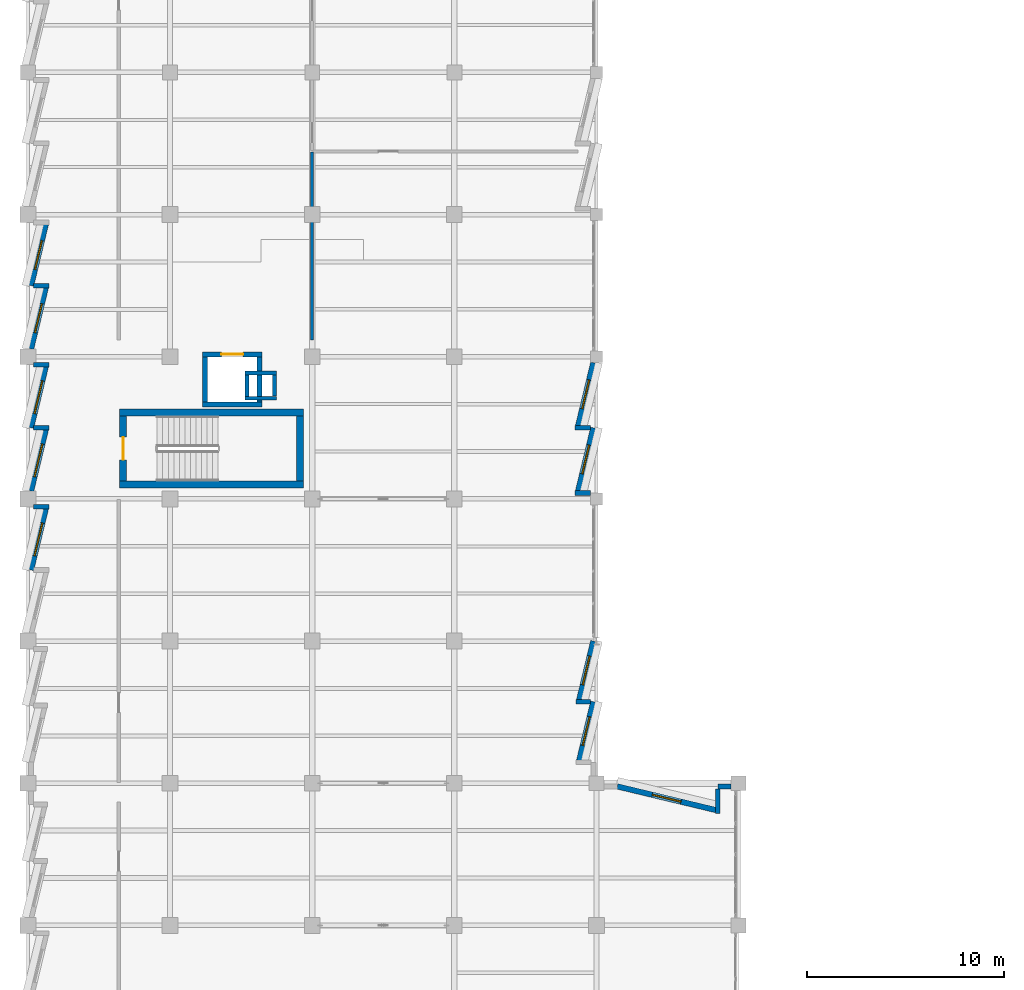
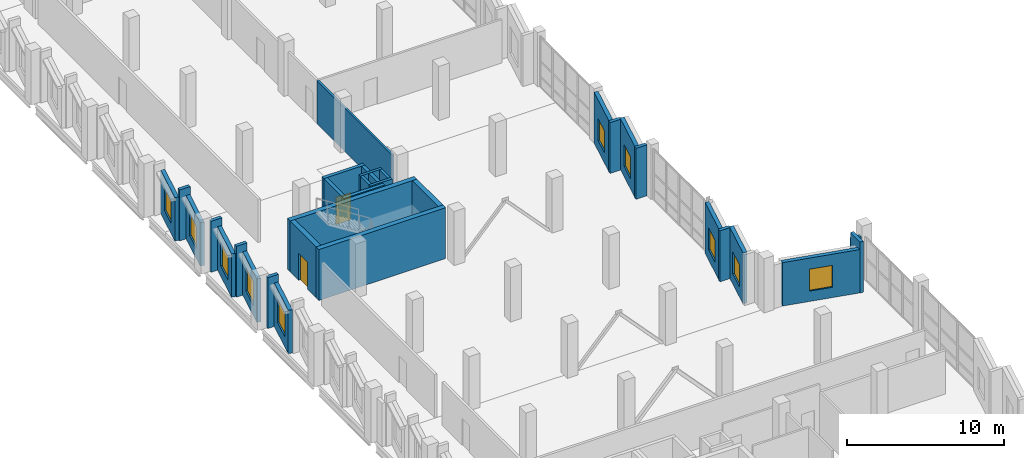
# One storey, part 69 of 94: 32 walls, 10 windows, 2 doors, 12 openings.
"""IFC4 building model written with IfcOpenShell, lengths in metres."""

from ifc_helpers import new_model, si_unit, direction, frame, frame_2d, origin, place, context, subcontext, project, spatial, rectangle, extrude, material, layer, layer_set, type_object, element, fill, save


model = new_model("IFC4")

# Units and contexts
model_context = context("Model", 3, precision=1e-05, world=origin(), true_north=direction((0.0, 1.0)))
body_context = subcontext(model_context, "Body", "Model", "MODEL_VIEW")
ifc_project = project(units=[si_unit("LENGTHUNIT", "METRE"), si_unit("AREAUNIT", "SQUARE_METRE"), si_unit("VOLUMEUNIT", "CUBIC_METRE"), si_unit("PLANEANGLEUNIT", "RADIAN"), si_unit("MASSUNIT", "GRAM", prefix="KILO")], contexts=[model_context])

# Site, building, storey
site_placement = place(None, origin())
site = spatial("IfcSite", under=ifc_project, at=site_placement, CompositionType="ELEMENT")
building_placement = place(site_placement, origin())
building = spatial("IfcBuilding", under=site, at=building_placement, Name="Kalmorath City Hall", CompositionType="ELEMENT")
storey_placement = place(building_placement, frame((0.0, 0.0, 14.699951171875)))
storey = spatial("IfcBuildingStorey", under=building, at=storey_placement, Name="L03", CompositionType="ELEMENT", Elevation=14.699951171875)

# Walls
ifc_material_1 = material(Name="Concrete C50/60", Category="concrete")
ifc_layer_1 = layer(ifc_material_1, 0.35009765625)
ifc_layer_set_1 = layer_set([ifc_layer_1], Name="Concrete C50/60")
wall_type_1 = type_object("IfcWallType", Name="Concrete core shear wall 350", PredefinedType="SHEAR", material=ifc_layer_set_1)
for number, where, z_axis, x_axis, name in (
    (1, (4.64990234375, 51.125, 0.0), (0.0, 0.0, 1.0), (1.0, 0.0, 0.0), "L03 C3 stair core shear wall S"),
    (2, (13.949951171875, 54.77490234375, 0.0), (0.0, 0.0, 1.0), (-1.0, 0.0, 0.0), "L03 C3 stair core shear wall N"),
):
    element("IfcWall", number, at=place(storey_placement, frame(where, z_axis=z_axis, x_axis=x_axis)), inside=storey, type_object=wall_type_1, Name=name, PredefinedType="SHEAR", context=body_context, shape_type="SweptSolid", body=[
        extrude(rectangle(XDim=9.300048828125, YDim=0.35009765625, at=frame_2d((4.64990234375, 0.0))), origin(), (0.0, 0.0, 1.0), 3.949951171875),
    ])

# Wall, opening, door
wall_1_placement = place(storey_placement, frame((4.824951171875, 54.60009765625, 0.0), z_axis=(0.0, 0.0, 1.0), x_axis=(0.0, -1.0, 0.0)))
wall_1 = element("IfcWall", 3, at=wall_1_placement, inside=storey, type_object=wall_type_1, Name="L03 C3 stair core shear wall W", PredefinedType="SHEAR", context=body_context, shape_type="SweptSolid", body=[
    extrude(rectangle(XDim=3.300048828125, YDim=0.35009765625, at=frame_2d((1.64990234375, 0.0))), origin(), (0.0, 0.0, 1.0), 3.949951171875),
])
opening_1_placement = place(wall_1_placement, frame((1.074951171875, 0.0, 0.0)))
opening_1 = element("IfcOpeningElement", 4, at=opening_1_placement, cuts=wall_1, Name="Opening D-L03-068", PredefinedType="OPENING", context=body_context, shape_type="SweptSolid", body=[
    extrude(rectangle(XDim=1.14990234375, YDim=2.10009765625, at=frame_2d((0.574951171875, 1.050048828125))), frame((0.0, 0.18505859375, 0.0), z_axis=(0.0, -1.0, 0.0), x_axis=(1.0, 0.0, 0.0)), (0.0, 0.0, 1.0), 0.3701171875),
])
ifc_material_2 = material(Name="Galvanised steel fire door", Category="steel")
door_type_1 = type_object("IfcDoorType", Name="Stair enclosure 90-min fire door 1150x2100", OperationType="NOTDEFINED", PredefinedType="DOOR", material=ifc_material_2)
door_1_placement = place(opening_1_placement, frame((1.14990234375, 0.0, 0.0), z_axis=(0.0, 0.0, 1.0), x_axis=(-1.0, 0.0, 0.0)))
door_1 = element("IfcDoor", 5, at=door_1_placement, inside=storey, type_object=door_type_1, Name="L03 door D-L03-068", OperationType="SINGLE_SWING_RIGHT", OverallHeight=2.10009765625, OverallWidth=1.14990234375, PredefinedType="DOOR", context=body_context, shape_type="SweptSolid", body=[
    extrude(rectangle(XDim=1.14990234375, YDim=2.10009765625, at=frame_2d((0.574951171875, 1.050048828125))), frame((0.0, 0.02490234375, 0.0), z_axis=(0.0, -1.0, 0.0), x_axis=(1.0, 0.0, 0.0)), (0.0, 0.0, 1.0), 0.050048828125),
])
fill(opening_1, door_1)

# Walls
wall_2_placement = place(storey_placement, frame((13.77490234375, 51.300048828125, 0.0), z_axis=(0.0, 0.0, 1.0), x_axis=(0.0, 1.0, 0.0)))
element("IfcWall", 6, at=wall_2_placement, inside=storey, type_object=wall_type_1, Name="L03 C3 stair core shear wall E", PredefinedType="SHEAR", context=body_context, shape_type="SweptSolid", body=[
    extrude(rectangle(XDim=3.300048828125, YDim=0.35009765625, at=frame_2d((1.64990234375, 0.0))), origin(), (0.0, 0.0, 1.0), 3.949951171875),
])
ifc_material_3 = material(Name="Concrete C50/60", Category="concrete")
ifc_layer_2 = layer(ifc_material_3, 0.25)
ifc_layer_set_2 = layer_set([ifc_layer_2], Name="Concrete C50/60")
wall_type_2 = type_object("IfcWallType", Name="Concrete lift shaft wall 250", PredefinedType="SHEAR", material=ifc_layer_set_2)
wall_3_placement = place(storey_placement, frame((8.85009765625, 55.175048828125, 0.0), z_axis=(0.0, 0.0, 1.0), x_axis=(1.0, 0.0, 0.0)))
element("IfcWall", 7, at=wall_3_placement, inside=storey, type_object=wall_type_2, Name="L03 PL4 lift shaft wall -y", PredefinedType="SHEAR", context=body_context, shape_type="SweptSolid", body=[
    extrude(rectangle(XDim=3.0, YDim=0.25, at=frame_2d((1.5, 0.0))), origin(), (0.0, 0.0, 1.0), 3.949951171875),
])

# Wall, opening, door
wall_4_placement = place(storey_placement, frame((11.85009765625, 57.72509765625, 0.0), z_axis=(0.0, 0.0, 1.0), x_axis=(-1.0, 0.0, 0.0)))
wall_4 = element("IfcWall", 8, at=wall_4_placement, inside=storey, type_object=wall_type_2, Name="L03 PL4 lift shaft wall +y", PredefinedType="SHEAR", context=body_context, shape_type="SweptSolid", body=[
    extrude(rectangle(XDim=3.0, YDim=0.25, at=frame_2d((1.5, 0.0))), origin(), (0.0, 0.0, 1.0), 3.949951171875),
])
opening_2_placement = place(wall_4_placement, frame((0.949951171875, 0.0, 0.0)))
opening_2 = element("IfcOpeningElement", 9, at=opening_2_placement, cuts=wall_4, Name="Opening LD-076", PredefinedType="OPENING", context=body_context, shape_type="SweptSolid", body=[
    extrude(rectangle(XDim=1.10009765625, YDim=2.10009765625, at=frame_2d((0.550048828125, 1.050048828125))), frame((0.0, 0.135009765625, 0.0), z_axis=(0.0, -1.0, 0.0), x_axis=(1.0, 0.0, 0.0)), (0.0, 0.0, 1.0), 0.27001953125),
])
ifc_material_4 = material(Name="Stainless steel sliding landing door", Category="steel")
door_type_2 = type_object("IfcDoorType", Name="Passenger lift sliding landing door 1100x2100", OperationType="SLIDING_TO_LEFT", PredefinedType="DOOR", material=ifc_material_4)
door_2_placement = place(opening_2_placement, origin())
door_2 = element("IfcDoor", 10, at=door_2_placement, inside=storey, type_object=door_type_2, Name="L03 door LD-076", OperationType="SLIDING_TO_LEFT", OverallHeight=2.10009765625, OverallWidth=1.10009765625, PredefinedType="DOOR", context=body_context, shape_type="SweptSolid", body=[
    extrude(rectangle(XDim=1.10009765625, YDim=2.10009765625, at=frame_2d((0.550048828125, 1.050048828125))), frame((0.0, 0.02490234375, 0.0), z_axis=(0.0, -1.0, 0.0), x_axis=(1.0, 0.0, 0.0)), (0.0, 0.0, 1.0), 0.050048828125),
])
fill(opening_2, door_2)

# Walls
for number, where, z_axis, x_axis, name in (
    (11, (8.97509765625, 57.60009765625, 0.0), (0.0, 0.0, 1.0), (0.0, -1.0, 0.0), "L03 PL4 lift shaft wall -x"),
    (12, (11.72509765625, 55.300048828125, 0.0), (0.0, 0.0, 1.0), (0.0, 1.0, 0.0), "L03 PL4 lift shaft wall +x"),
):
    element("IfcWall", number, at=place(storey_placement, frame(where, z_axis=z_axis, x_axis=x_axis)), inside=storey, type_object=wall_type_2, Name=name, PredefinedType="SHEAR", context=body_context, shape_type="SweptSolid", body=[
        extrude(rectangle(XDim=2.300048828125, YDim=0.25, at=frame_2d((1.14990234375, 0.0))), origin(), (0.0, 0.0, 1.0), 3.949951171875),
    ])
ifc_material_5 = material(Name="Concrete C40/50", Category="concrete")
ifc_layer_3 = layer(ifc_material_5, 0.199951171875)
ifc_layer_set_3 = layer_set([ifc_layer_3], Name="Concrete C40/50")
wall_type_3 = type_object("IfcWallType", Name="Concrete service riser wall 200", PredefinedType="SOLIDWALL", material=ifc_layer_set_3)
for number, where, z_axis, x_axis, name in (
    (13, (11.0, 55.5, 0.0), (0.0, 0.0, 1.0), (1.0, 0.0, 0.0), "L03 RSR-2 riser shaft wall S"),
    (14, (12.60009765625, 56.780029296875, 0.0), (0.0, 0.0, 1.0), (-1.0, 0.0, 0.0), "L03 RSR-2 riser shaft wall N"),
):
    element("IfcWall", number, at=place(storey_placement, frame(where, z_axis=z_axis, x_axis=x_axis)), inside=storey, type_object=wall_type_3, Name=name, PredefinedType="SOLIDWALL", context=body_context, shape_type="SweptSolid", body=[
        extrude(rectangle(XDim=1.60009765625, YDim=0.199951171875, at=frame_2d((0.800048828125, 0.0))), origin(), (0.0, 0.0, 1.0), 3.949951171875),
    ])
for number, where, z_axis, x_axis, name in (
    (15, (11.10009765625, 56.679931640625, 0.0), (0.0, 0.0, 1.0), (0.0, -1.0, 0.0), "L03 RSR-2 riser shaft wall W"),
    (16, (12.5, 55.60009765625, 0.0), (0.0, 0.0, 1.0), (0.0, 1.0, 0.0), "L03 RSR-2 riser shaft wall E"),
):
    element("IfcWall", number, at=place(storey_placement, frame(where, z_axis=z_axis, x_axis=x_axis)), inside=storey, type_object=wall_type_3, Name=name, PredefinedType="SOLIDWALL", context=body_context, shape_type="SweptSolid", body=[
        extrude(rectangle(XDim=1.079833984375, YDim=0.199951171875, at=frame_2d((0.5400390625, 0.0))), origin(), (0.0, 0.0, 1.0), 3.949951171875),
    ])
ifc_material_6 = material(Name="Acoustic metal-stud gypsum partition")
ifc_layer_4 = layer(ifc_material_6, 0.14990234375)
ifc_layer_set_4 = layer_set([ifc_layer_4], Name="Acoustic metal-stud gypsum partition")
wall_type_4 = type_object("IfcWallType", Name="Departmental suite partition 150", PredefinedType="PARTITIONING", material=ifc_layer_set_4)
wall_5_placement = place(storey_placement, frame((14.39990234375, 58.43994140625, 0.0), z_axis=(0.0, 0.0, 1.0), x_axis=(0.0, 1.0, 0.0)))
element("IfcWall", 17, at=wall_5_placement, inside=storey, type_object=wall_type_4, Name="L03 interior partition PW4 #144", PredefinedType="PARTITIONING", context=body_context, shape_type="SweptSolid", body=[
    extrude(rectangle(XDim=9.52001953125, YDim=0.14990234375, at=frame_2d((4.760009765625, 0.0))), origin(), (0.0, 0.0, 1.0), 3.35205078125),
])
ifc_material_7 = material(Name="Precast concrete C40/50", Category="concrete")
ifc_layer_5 = layer(ifc_material_7, 0.239990234375)
ifc_layer_set_5 = layer_set([ifc_layer_5], Name="Precast concrete C40/50")
wall_type_5 = type_object("IfcWallType", Name="Precast sawtooth cheek wall 240", PredefinedType="SOLIDWALL", material=ifc_layer_set_5)
for number, where, z_axis, x_axis, name in (
    (18, (1.072998046875, 49.9990234375, 0.0), (0.0, 0.0, 1.0), (-1.0, 0.0, 0.0), "L03 sawtooth return cheek #557"),
    (19, (1.072998046875, 54.0, 0.0), (0.0, 0.0, 1.0), (-1.0, 0.0, 0.0), "L03 sawtooth return cheek #559"),
    (20, (1.072998046875, 57.198974609375, 0.0), (0.0, 0.0, 1.0), (-1.0, 0.0, 0.0), "L03 sawtooth return cheek #561"),
    (21, (1.072998046875, 61.199951171875, 0.0), (0.0, 0.0, 1.0), (-1.0, 0.0, 0.0), "L03 sawtooth return cheek #563"),
):
    element("IfcWall", number, at=place(storey_placement, frame(where, z_axis=z_axis, x_axis=x_axis)), inside=storey, type_object=wall_type_5, Name=name, PredefinedType="SOLIDWALL", context=body_context, shape_type="SweptSolid", body=[
        extrude(rectangle(XDim=0.781005859375, YDim=0.239990234375, at=frame_2d((0.390625, 0.0))), origin(), (0.0, 0.0, 1.0), 3.949951171875),
    ])
for number, where, z_axis, x_axis, name in (
    (22, (27.702880859375, 54.0, 0.0), (0.0, 0.0, 1.0), (1.0, 0.0, 0.0), "L03 sawtooth return cheek #643"),
    (23, (27.702880859375, 50.700927734375, 0.0), (0.0, 0.0, 1.0), (1.0, 0.0, 0.0), "L03 sawtooth return cheek #645"),
):
    element("IfcWall", number, at=place(storey_placement, frame(where, z_axis=z_axis, x_axis=x_axis)), inside=storey, type_object=wall_type_5, Name=name, PredefinedType="SOLIDWALL", context=body_context, shape_type="SweptSolid", body=[
        extrude(rectangle(XDim=0.80517578125, YDim=0.239990234375, at=frame_2d((0.402587890625, 0.0))), origin(), (0.0, 0.0, 1.0), 3.949951171875),
    ])
wall_6_placement = place(storey_placement, frame((27.757568359375, 40.1279296875, 0.0), z_axis=(0.0, 0.0, 1.0), x_axis=(1.0, 0.0, 0.0)))
element("IfcWall", 24, at=wall_6_placement, inside=storey, type_object=wall_type_5, Name="L03 sawtooth return cheek #648", PredefinedType="SOLIDWALL", context=body_context, shape_type="SweptSolid", body=[
    extrude(rectangle(XDim=0.75048828125, YDim=0.239990234375, at=frame_2d((0.375244140625, 0.0))), origin(), (0.0, 0.0, 1.0), 3.949951171875),
])
wall_7_placement = place(storey_placement, frame((34.944091796875, 34.473388671875, 0.0), z_axis=(0.0, 0.0, 1.0), x_axis=(0.0, 1.0, 0.0)))
element("IfcWall", 25, at=wall_7_placement, inside=storey, type_object=wall_type_5, Name="L03 sawtooth return cheek #654", PredefinedType="SOLIDWALL", context=body_context, shape_type="SweptSolid", body=[
    extrude(rectangle(XDim=1.24462890625, YDim=0.239990234375, at=frame_2d((0.622314453125, 0.0))), origin(), (0.0, 0.0, 1.0), 3.949951171875),
])

# Wall, opening, window
ifc_material_8 = material(Name="Precast concrete C40/50", Category="concrete")
ifc_layer_6 = layer(ifc_material_8, 0.280029296875)
ifc_layer_set_6 = layer_set([ifc_layer_6], Name="Precast concrete C40/50")
wall_type_6 = type_object("IfcWallType", Name="Precast sawtooth facade wall 280", PredefinedType="SOLIDWALL", material=ifc_layer_set_6)
wall_8_placement = place(storey_placement, frame((0.159912109375, 46.800048828125, 0.0), z_axis=(0.0, 0.0, 1.0), x_axis=(0.233462551123, 0.972365793939, 0.0)))
wall_8 = element("IfcWall", 26, at=wall_8_placement, inside=storey, type_object=wall_type_6, Name="L03 sawtooth precast frame #556", PredefinedType="SOLIDWALL", context=body_context, shape_type="SweptSolid", body=[
    extrude(rectangle(XDim=3.19482421875, YDim=0.280029296875, at=frame_2d((1.597412109375, 0.0))), origin(), (0.0, 0.0, 1.0), 3.365966796875),
])
opening_3_placement = place(wall_8_placement, frame((0.747314453125, 0.0, 0.800048828125)))
opening_3 = element("IfcOpeningElement", 27, at=opening_3_placement, cuts=wall_8, Name="Opening WN6", PredefinedType="OPENING", context=body_context, shape_type="SweptSolid", body=[
    extrude(rectangle(XDim=1.699951171875, YDim=1.85009765625, at=frame_2d((0.85009765625, 0.925048828125))), frame((0.0, 0.14990234375, 0.0), z_axis=(0.0, -1.0, 0.0), x_axis=(1.0, 0.0, 0.0)), (0.0, 0.0, 1.0), 0.300048828125),
])
ifc_material_9 = material(Name="Aluminium and laminated glass", Category="aluminium")
window_type_1 = type_object("IfcWindowType", Name="Sawtooth west wing window 1700x1850", PartitioningType="SINGLE_PANEL", PredefinedType="WINDOW", material=ifc_material_9)
window_1_placement = place(opening_3_placement, origin())
window_1 = element("IfcWindow", 28, at=window_1_placement, inside=storey, type_object=window_type_1, Name="L03 window WN6-288", OverallHeight=1.85009765625, OverallWidth=1.699951171875, PartitioningType="SINGLE_PANEL", PredefinedType="WINDOW", context=body_context, shape_type="SweptSolid", body=[
    extrude(rectangle(XDim=1.699951171875, YDim=1.85009765625, at=frame_2d((0.85009765625, 0.925048828125))), frame((0.0, 0.030029296875, 0.0), z_axis=(0.0, -1.0, 0.0), x_axis=(1.0, 0.0, 0.0)), (0.0, 0.0, 1.0), 0.06005859375),
])
fill(opening_3, window_1)

wall_9_placement = place(storey_placement, frame((0.159912109375, 50.801025390625, 0.0), z_axis=(0.0, 0.0, 1.0), x_axis=(0.233445204235, 0.972369958719, 0.0)))
wall_9 = element("IfcWall", 29, at=wall_9_placement, inside=storey, type_object=wall_type_6, Name="L03 sawtooth precast frame #558", PredefinedType="SOLIDWALL", context=body_context, shape_type="SweptSolid", body=[
    extrude(rectangle(XDim=3.195068359375, YDim=0.280029296875, at=frame_2d((1.59765625, 0.0))), origin(), (0.0, 0.0, 1.0), 3.365966796875),
])
opening_4_placement = place(wall_9_placement, frame((0.747314453125, 0.0, 0.800048828125)))
opening_4 = element("IfcOpeningElement", 30, at=opening_4_placement, cuts=wall_9, Name="Opening WN6", PredefinedType="OPENING", context=body_context, shape_type="SweptSolid", body=[
    extrude(rectangle(XDim=1.699951171875, YDim=1.85009765625, at=frame_2d((0.85009765625, 0.925048828125))), frame((0.0, 0.14990234375, 0.0), z_axis=(0.0, -1.0, 0.0), x_axis=(1.0, 0.0, 0.0)), (0.0, 0.0, 1.0), 0.300048828125),
])
window_2_placement = place(opening_4_placement, origin())
window_2 = element("IfcWindow", 31, at=window_2_placement, inside=storey, type_object=window_type_1, Name="L03 window WN6-289", OverallHeight=1.85009765625, OverallWidth=1.699951171875, PartitioningType="SINGLE_PANEL", PredefinedType="WINDOW", context=body_context, shape_type="SweptSolid", body=[
    extrude(rectangle(XDim=1.699951171875, YDim=1.85009765625, at=frame_2d((0.85009765625, 0.925048828125))), frame((0.0, 0.030029296875, 0.0), z_axis=(0.0, -1.0, 0.0), x_axis=(1.0, 0.0, 0.0)), (0.0, 0.0, 1.0), 0.06005859375),
])
fill(opening_4, window_2)

wall_10_placement = place(storey_placement, frame((0.159912109375, 54.0, 0.0), z_axis=(0.0, 0.0, 1.0), x_axis=(0.233445204235, 0.972369958719, 0.0)))
wall_10 = element("IfcWall", 32, at=wall_10_placement, inside=storey, type_object=wall_type_6, Name="L03 sawtooth precast frame #560", PredefinedType="SOLIDWALL", context=body_context, shape_type="SweptSolid", body=[
    extrude(rectangle(XDim=3.195068359375, YDim=0.280029296875, at=frame_2d((1.59765625, 0.0))), origin(), (0.0, 0.0, 1.0), 3.365966796875),
])
opening_5_placement = place(wall_10_placement, frame((0.747314453125, 0.0, 0.800048828125)))
opening_5 = element("IfcOpeningElement", 33, at=opening_5_placement, cuts=wall_10, Name="Opening WN6", PredefinedType="OPENING", context=body_context, shape_type="SweptSolid", body=[
    extrude(rectangle(XDim=1.699951171875, YDim=1.85009765625, at=frame_2d((0.85009765625, 0.925048828125))), frame((0.0, 0.14990234375, 0.0), z_axis=(0.0, -1.0, 0.0), x_axis=(1.0, 0.0, 0.0)), (0.0, 0.0, 1.0), 0.300048828125),
])
window_3_placement = place(opening_5_placement, origin())
window_3 = element("IfcWindow", 34, at=window_3_placement, inside=storey, type_object=window_type_1, Name="L03 window WN6-290", OverallHeight=1.85009765625, OverallWidth=1.699951171875, PartitioningType="SINGLE_PANEL", PredefinedType="WINDOW", context=body_context, shape_type="SweptSolid", body=[
    extrude(rectangle(XDim=1.699951171875, YDim=1.85009765625, at=frame_2d((0.85009765625, 0.925048828125))), frame((0.0, 0.030029296875, 0.0), z_axis=(0.0, -1.0, 0.0), x_axis=(1.0, 0.0, 0.0)), (0.0, 0.0, 1.0), 0.06005859375),
])
fill(opening_5, window_3)

wall_11_placement = place(storey_placement, frame((0.159912109375, 58.0009765625, 0.0), z_axis=(0.0, 0.0, 1.0), x_axis=(0.233445204235, 0.972369958719, 0.0)))
wall_11 = element("IfcWall", 35, at=wall_11_placement, inside=storey, type_object=wall_type_6, Name="L03 sawtooth precast frame #562", PredefinedType="SOLIDWALL", context=body_context, shape_type="SweptSolid", body=[
    extrude(rectangle(XDim=3.195068359375, YDim=0.280029296875, at=frame_2d((1.59765625, 0.0))), origin(), (0.0, 0.0, 1.0), 3.365966796875),
])
opening_6_placement = place(wall_11_placement, frame((0.847412109375, 0.0, 0.800048828125)))
opening_6 = element("IfcOpeningElement", 36, at=opening_6_placement, cuts=wall_11, Name="Opening WN7", PredefinedType="OPENING", context=body_context, shape_type="SweptSolid", body=[
    extrude(rectangle(XDim=1.5, YDim=1.699951171875, at=frame_2d((0.75, 0.85009765625))), frame((0.0, 0.14990234375, 0.0), z_axis=(0.0, -1.0, 0.0), x_axis=(1.0, 0.0, 0.0)), (0.0, 0.0, 1.0), 0.300048828125),
])
ifc_material_10 = material(Name="Aluminium and laminated glass", Category="aluminium")
window_type_2 = type_object("IfcWindowType", Name="Sawtooth top storey window 1500x1700", PartitioningType="SINGLE_PANEL", PredefinedType="WINDOW", material=ifc_material_10)
window_4_placement = place(opening_6_placement, origin())
window_4 = element("IfcWindow", 37, at=window_4_placement, inside=storey, type_object=window_type_2, Name="L03 window WN7-291", OverallHeight=1.699951171875, OverallWidth=1.5, PartitioningType="SINGLE_PANEL", PredefinedType="WINDOW", context=body_context, shape_type="SweptSolid", body=[
    extrude(rectangle(XDim=1.5, YDim=1.699951171875, at=frame_2d((0.75, 0.85009765625))), frame((0.0, 0.030029296875, 0.0), z_axis=(0.0, -1.0, 0.0), x_axis=(1.0, 0.0, 0.0)), (0.0, 0.0, 1.0), 0.06005859375),
])
fill(opening_6, window_4)

wall_12_placement = place(storey_placement, frame((0.159912109375, 61.199951171875, 0.0), z_axis=(0.0, 0.0, 1.0), x_axis=(0.233445204235, 0.972369958719, 0.0)))
wall_12 = element("IfcWall", 38, at=wall_12_placement, inside=storey, type_object=wall_type_6, Name="L03 sawtooth precast frame #564", PredefinedType="SOLIDWALL", context=body_context, shape_type="SweptSolid", body=[
    extrude(rectangle(XDim=3.195068359375, YDim=0.280029296875, at=frame_2d((1.59765625, 0.0))), origin(), (0.0, 0.0, 1.0), 3.365966796875),
])
opening_7_placement = place(wall_12_placement, frame((0.847412109375, 0.0, 0.800048828125)))
opening_7 = element("IfcOpeningElement", 39, at=opening_7_placement, cuts=wall_12, Name="Opening WN7", PredefinedType="OPENING", context=body_context, shape_type="SweptSolid", body=[
    extrude(rectangle(XDim=1.5, YDim=1.699951171875, at=frame_2d((0.75, 0.85009765625))), frame((0.0, 0.14990234375, 0.0), z_axis=(0.0, -1.0, 0.0), x_axis=(1.0, 0.0, 0.0)), (0.0, 0.0, 1.0), 0.300048828125),
])
window_5_placement = place(opening_7_placement, origin())
window_5 = element("IfcWindow", 40, at=window_5_placement, inside=storey, type_object=window_type_2, Name="L03 window WN7-292", OverallHeight=1.699951171875, OverallWidth=1.5, PartitioningType="SINGLE_PANEL", PredefinedType="WINDOW", context=body_context, shape_type="SweptSolid", body=[
    extrude(rectangle(XDim=1.5, YDim=1.699951171875, at=frame_2d((0.75, 0.85009765625))), frame((0.0, 0.030029296875, 0.0), z_axis=(0.0, -1.0, 0.0), x_axis=(1.0, 0.0, 0.0)), (0.0, 0.0, 1.0), 0.06005859375),
])
fill(opening_7, window_5)

wall_13_placement = place(storey_placement, frame((28.639892578125, 57.299072265625, 0.0), z_axis=(0.0, 0.0, 1.0), x_axis=(-0.233414950828, -0.972377221417, 0.0)))
wall_13 = element("IfcWall", 41, at=wall_13_placement, inside=storey, type_object=wall_type_6, Name="L03 sawtooth precast frame #642", PredefinedType="SOLIDWALL", context=body_context, shape_type="SweptSolid", body=[
    extrude(rectangle(XDim=3.2978515625, YDim=0.280029296875, at=frame_2d((1.64892578125, 0.0))), origin(), (0.0, 0.0, 1.0), 3.949951171875),
])
opening_8_placement = place(wall_13_placement, frame((0.89892578125, 0.0, 0.800048828125)))
opening_8 = element("IfcOpeningElement", 42, at=opening_8_placement, cuts=wall_13, Name="Opening WN7", PredefinedType="OPENING", context=body_context, shape_type="SweptSolid", body=[
    extrude(rectangle(XDim=1.5, YDim=1.699951171875, at=frame_2d((0.75, 0.85009765625))), frame((0.0, 0.14990234375, 0.0), z_axis=(0.0, -1.0, 0.0), x_axis=(1.0, 0.0, 0.0)), (0.0, 0.0, 1.0), 0.300048828125),
])
window_6_placement = place(opening_8_placement, origin())
window_6 = element("IfcWindow", 43, at=window_6_placement, inside=storey, type_object=window_type_2, Name="L03 window WN7-340", OverallHeight=1.699951171875, OverallWidth=1.5, PartitioningType="SINGLE_PANEL", PredefinedType="WINDOW", context=body_context, shape_type="SweptSolid", body=[
    extrude(rectangle(XDim=1.5, YDim=1.699951171875, at=frame_2d((0.75, 0.85009765625))), frame((0.0, 0.030029296875, 0.0), z_axis=(0.0, -1.0, 0.0), x_axis=(1.0, 0.0, 0.0)), (0.0, 0.0, 1.0), 0.06005859375),
])
fill(opening_8, window_6)

wall_14_placement = place(storey_placement, frame((28.639892578125, 54.0, 0.0), z_axis=(0.0, 0.0, 1.0), x_axis=(-0.23343175428, -0.972373187667, 0.0)))
wall_14 = element("IfcWall", 44, at=wall_14_placement, inside=storey, type_object=wall_type_6, Name="L03 sawtooth precast frame #644", PredefinedType="SOLIDWALL", context=body_context, shape_type="SweptSolid", body=[
    extrude(rectangle(XDim=3.297607421875, YDim=0.280029296875, at=frame_2d((1.64892578125, 0.0))), origin(), (0.0, 0.0, 1.0), 3.949951171875),
])
opening_9_placement = place(wall_14_placement, frame((0.89892578125, 0.0, 0.800048828125)))
opening_9 = element("IfcOpeningElement", 45, at=opening_9_placement, cuts=wall_14, Name="Opening WN7", PredefinedType="OPENING", context=body_context, shape_type="SweptSolid", body=[
    extrude(rectangle(XDim=1.5, YDim=1.699951171875, at=frame_2d((0.75, 0.85009765625))), frame((0.0, 0.14990234375, 0.0), z_axis=(0.0, -1.0, 0.0), x_axis=(1.0, 0.0, 0.0)), (0.0, 0.0, 1.0), 0.300048828125),
])
window_7_placement = place(opening_9_placement, origin())
window_7 = element("IfcWindow", 46, at=window_7_placement, inside=storey, type_object=window_type_2, Name="L03 window WN7-341", OverallHeight=1.699951171875, OverallWidth=1.5, PartitioningType="SINGLE_PANEL", PredefinedType="WINDOW", context=body_context, shape_type="SweptSolid", body=[
    extrude(rectangle(XDim=1.5, YDim=1.699951171875, at=frame_2d((0.75, 0.85009765625))), frame((0.0, 0.030029296875, 0.0), z_axis=(0.0, -1.0, 0.0), x_axis=(1.0, 0.0, 0.0)), (0.0, 0.0, 1.0), 0.06005859375),
])
fill(opening_9, window_7)

wall_15_placement = place(storey_placement, frame((28.639892578125, 43.199951171875, 0.0), z_axis=(0.0, 0.0, 1.0), x_axis=(-0.233375966003, -0.972386578729, 0.0)))
wall_15 = element("IfcWall", 47, at=wall_15_placement, inside=storey, type_object=wall_type_6, Name="L03 sawtooth precast frame #647", PredefinedType="SOLIDWALL", context=body_context, shape_type="SweptSolid", body=[
    extrude(rectangle(XDim=3.064208984375, YDim=0.280029296875, at=frame_2d((1.5322265625, 0.0))), origin(), (0.0, 0.0, 1.0), 3.949951171875),
])
opening_10_placement = place(wall_15_placement, frame((0.781982421875, 0.0, 0.800048828125)))
opening_10 = element("IfcOpeningElement", 48, at=opening_10_placement, cuts=wall_15, Name="Opening WN7", PredefinedType="OPENING", context=body_context, shape_type="SweptSolid", body=[
    extrude(rectangle(XDim=1.5, YDim=1.699951171875, at=frame_2d((0.75, 0.85009765625))), frame((0.0, 0.14990234375, 0.0), z_axis=(0.0, -1.0, 0.0), x_axis=(1.0, 0.0, 0.0)), (0.0, 0.0, 1.0), 0.300048828125),
])
window_8_placement = place(opening_10_placement, origin())
window_8 = element("IfcWindow", 49, at=window_8_placement, inside=storey, type_object=window_type_2, Name="L03 window WN7-342", OverallHeight=1.699951171875, OverallWidth=1.5, PartitioningType="SINGLE_PANEL", PredefinedType="WINDOW", context=body_context, shape_type="SweptSolid", body=[
    extrude(rectangle(XDim=1.5, YDim=1.699951171875, at=frame_2d((0.75, 0.85009765625))), frame((0.0, 0.030029296875, 0.0), z_axis=(0.0, -1.0, 0.0), x_axis=(1.0, 0.0, 0.0)), (0.0, 0.0, 1.0), 0.06005859375),
])
fill(opening_10, window_8)

wall_16_placement = place(storey_placement, frame((28.639892578125, 40.1279296875, 0.0), z_axis=(0.0, 0.0, 1.0), x_axis=(-0.233375966003, -0.972386578729, 0.0)))
wall_16 = element("IfcWall", 50, at=wall_16_placement, inside=storey, type_object=wall_type_6, Name="L03 sawtooth precast frame #649", PredefinedType="SOLIDWALL", context=body_context, shape_type="SweptSolid", body=[
    extrude(rectangle(XDim=3.064208984375, YDim=0.280029296875, at=frame_2d((1.5322265625, 0.0))), origin(), (0.0, 0.0, 1.0), 3.949951171875),
])
opening_11_placement = place(wall_16_placement, frame((0.781982421875, 0.0, 0.800048828125)))
opening_11 = element("IfcOpeningElement", 51, at=opening_11_placement, cuts=wall_16, Name="Opening WN7", PredefinedType="OPENING", context=body_context, shape_type="SweptSolid", body=[
    extrude(rectangle(XDim=1.5, YDim=1.699951171875, at=frame_2d((0.75, 0.85009765625))), frame((0.0, 0.14990234375, 0.0), z_axis=(0.0, -1.0, 0.0), x_axis=(1.0, 0.0, 0.0)), (0.0, 0.0, 1.0), 0.300048828125),
])
window_9_placement = place(opening_11_placement, origin())
window_9 = element("IfcWindow", 52, at=window_9_placement, inside=storey, type_object=window_type_2, Name="L03 window WN7-343", OverallHeight=1.699951171875, OverallWidth=1.5, PartitioningType="SINGLE_PANEL", PredefinedType="WINDOW", context=body_context, shape_type="SweptSolid", body=[
    extrude(rectangle(XDim=1.5, YDim=1.699951171875, at=frame_2d((0.75, 0.85009765625))), frame((0.0, 0.030029296875, 0.0), z_axis=(0.0, -1.0, 0.0), x_axis=(1.0, 0.0, 0.0)), (0.0, 0.0, 1.0), 0.06005859375),
])
fill(opening_11, window_9)

wall_17_placement = place(storey_placement, frame((29.85595703125, 35.840087890625, 0.0), z_axis=(0.0, 0.0, 1.0), x_axis=(0.972364435713, -0.233468208028, 0.0)))
wall_17 = element("IfcWall", 53, at=wall_17_placement, inside=storey, type_object=wall_type_6, Name="L03 sawtooth precast frame #653", PredefinedType="SOLIDWALL", context=body_context, shape_type="SweptSolid", body=[
    extrude(rectangle(XDim=5.1376953125, YDim=0.280029296875, at=frame_2d((2.56884765625, 0.0))), origin(), (0.0, 0.0, 1.0), 3.365966796875),
])
opening_12_placement = place(wall_17_placement, frame((1.81884765625, 0.0, 0.800048828125)))
opening_12 = element("IfcOpeningElement", 54, at=opening_12_placement, cuts=wall_17, Name="Opening WN7", PredefinedType="OPENING", context=body_context, shape_type="SweptSolid", body=[
    extrude(rectangle(XDim=1.5, YDim=1.699951171875, at=frame_2d((0.75, 0.85009765625))), frame((0.0, 0.14990234375, 0.0), z_axis=(0.0, -1.0, 0.0), x_axis=(1.0, 0.0, 0.0)), (0.0, 0.0, 1.0), 0.300048828125),
])
window_10_placement = place(opening_12_placement, origin())
window_10 = element("IfcWindow", 55, at=window_10_placement, inside=storey, type_object=window_type_2, Name="L03 window WN7-344", OverallHeight=1.699951171875, OverallWidth=1.5, PartitioningType="SINGLE_PANEL", PredefinedType="WINDOW", context=body_context, shape_type="SweptSolid", body=[
    extrude(rectangle(XDim=1.5, YDim=1.699951171875, at=frame_2d((0.75, 0.85009765625))), frame((0.0, 0.030029296875, 0.0), z_axis=(0.0, -1.0, 0.0), x_axis=(1.0, 0.0, 0.0)), (0.0, 0.0, 1.0), 0.06005859375),
])
fill(opening_12, window_10)

# Wall
ifc_material_11 = material(Name="Precast concrete C40/50", Category="concrete")
ifc_layer_7 = layer(ifc_material_11, 0.260009765625)
ifc_layer_set_7 = layer_set([ifc_layer_7], Name="Precast concrete C40/50")
wall_type_7 = type_object("IfcWallType", Name="Precast sawtooth return wall 260", PredefinedType="SOLIDWALL", material=ifc_layer_set_7)
wall_18_placement = place(storey_placement, frame((34.944091796875, 35.840087890625, 0.0), z_axis=(0.0, 0.0, 1.0), x_axis=(1.0, 0.0, 0.0)))
element("IfcWall", 56, at=wall_18_placement, inside=storey, type_object=wall_type_7, Name="L03 corner pier wall #652", PredefinedType="SOLIDWALL", context=body_context, shape_type="SweptSolid", body=[
    extrude(rectangle(XDim=0.679931640625, YDim=0.260009765625, at=frame_2d((0.33984375, 0.0))), origin(), (0.0, 0.0, 1.0), 3.365966796875),
])

save(model, "model.ifc")
